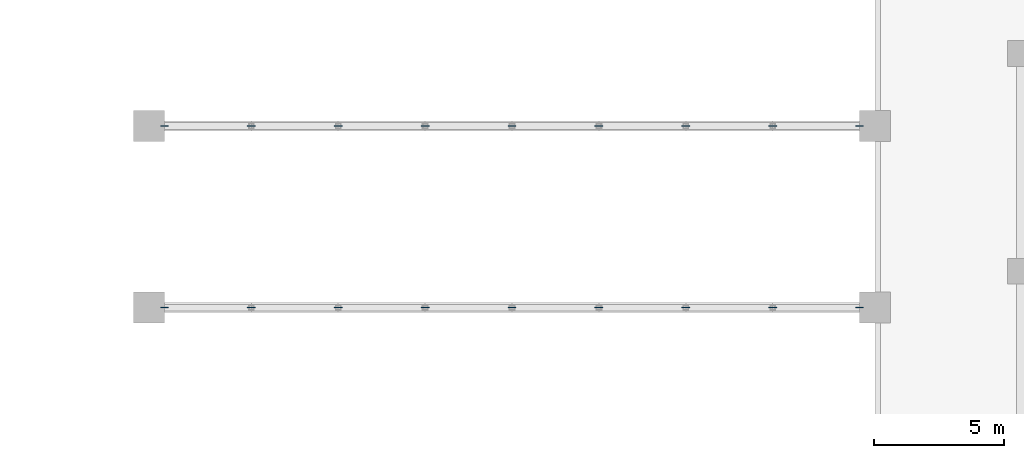
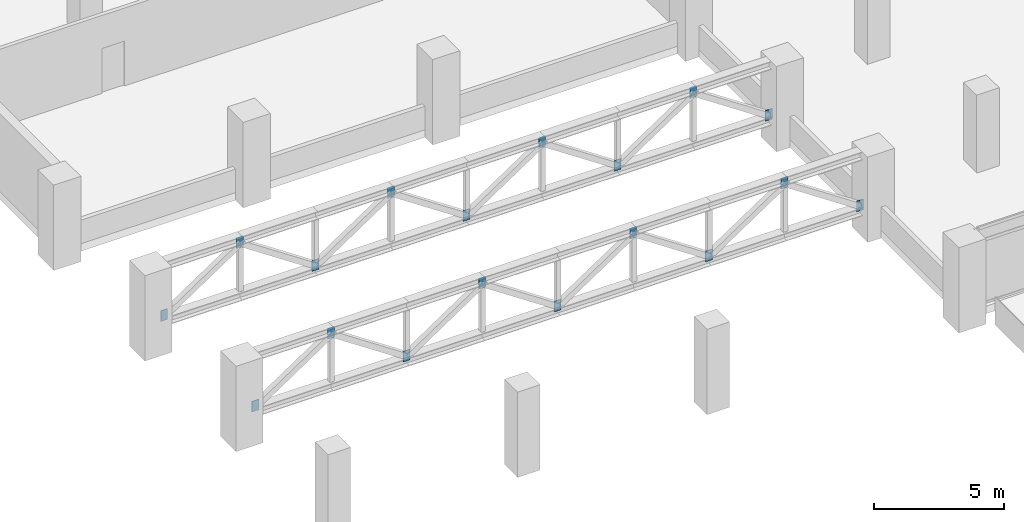
# One storey, part 19 of 24: 18 discrete accessories.
"""IFC4 building model written with IfcOpenShell, lengths in metres."""

from ifc_helpers import new_model, si_unit, direction, frame, origin, origin_2d, place, context, subcontext, project, spatial, rectangle, extrude, material, layer, layer_set, type_object, element, save


model = new_model("IFC4")

# Units and contexts
model_context = context("Model", 3, precision=1e-05, world=origin(), true_north=direction((0.0, 1.0)))
body_context = subcontext(model_context, "Body", "Model", "MODEL_VIEW")
ifc_project = project(units=[si_unit("LENGTHUNIT", "METRE"), si_unit("AREAUNIT", "SQUARE_METRE"), si_unit("VOLUMEUNIT", "CUBIC_METRE"), si_unit("PLANEANGLEUNIT", "RADIAN"), si_unit("MASSUNIT", "GRAM", prefix="KILO")], contexts=[model_context])

# Site, building, storey
site_placement = place(None, origin())
site = spatial("IfcSite", under=ifc_project, at=site_placement, CompositionType="ELEMENT")
building_placement = place(site_placement, origin())
building = spatial("IfcBuilding", under=site, at=building_placement, Name="Ostrander Bayou Hotel Tower", CompositionType="ELEMENT")
storey_placement = place(building_placement, frame((0.0, 0.0, 6.0)))
storey = spatial("IfcBuildingStorey", under=building, at=storey_placement, Name="L01", CompositionType="ELEMENT", Elevation=6.0)

# Discrete accessories
ifc_material = material(Name="Steel ASTM A572 Gr 50", Category="steel")
ifc_layer = layer(ifc_material, 0.030029296875)
ifc_layer_set = layer_set([ifc_layer], Name="GP1 gusset plate 30 mm")
discrete_accessory_type = type_object("IfcDiscreteAccessoryType", Name="GP1 gusset plate 30 mm", PredefinedType="BRACKET", material=ifc_layer_set)
for number, where, z_axis, x_axis, name in (
    (1, (-41.39990234375, -43.39990234375, 0.780517578125), (0.0, 0.0, 1.0), (1.0, 0.0, 0.0), "GP1 gusset plate ball 1"),
    (2, (-38.050048828125, -43.39990234375, 3.01953125), (0.0, 0.0, 1.0), (1.0, 0.0, 0.0), "GP1 gusset plate ball 2"),
    (3, (-34.699951171875, -43.39990234375, 0.780517578125), (0.0, 0.0, 1.0), (-1.0, 0.0, 0.0), "GP1 gusset plate ball 3"),
    (4, (-31.35009765625, -43.39990234375, 3.01953125), (0.0, 0.0, 1.0), (1.0, 0.0, 0.0), "GP1 gusset plate ball 4"),
    (5, (-28.0, -43.39990234375, 0.780517578125), (0.0, 0.0, 1.0), (-1.0, 0.0, 0.0), "GP1 gusset plate ball 5"),
    (6, (-24.64990234375, -43.39990234375, 3.01953125), (0.0, 0.0, 1.0), (1.0, 0.0, 0.0), "GP1 gusset plate ball 6"),
    (7, (-21.300048828125, -43.39990234375, 0.780517578125), (0.0, 0.0, 1.0), (-1.0, 0.0, 0.0), "GP1 gusset plate ball 7"),
    (8, (-17.949951171875, -43.39990234375, 3.01953125), (0.0, 0.0, 1.0), (1.0, 0.0, 0.0), "GP1 gusset plate ball 8"),
    (9, (-14.60009765625, -43.39990234375, 0.780517578125), (0.0, 0.0, 1.0), (-1.0, 0.0, 0.0), "GP1 gusset plate ball 9"),
    (10, (-41.39990234375, -36.39990234375, 0.780517578125), (0.0, 0.0, 1.0), (1.0, 0.0, 0.0), "GP1 gusset plate ball 10"),
    (11, (-38.050048828125, -36.39990234375, 3.01953125), (0.0, 0.0, 1.0), (1.0, 0.0, 0.0), "GP1 gusset plate ball 11"),
    (12, (-34.699951171875, -36.39990234375, 0.780517578125), (0.0, 0.0, 1.0), (-1.0, 0.0, 0.0), "GP1 gusset plate ball 12"),
    (13, (-31.35009765625, -36.39990234375, 3.01953125), (0.0, 0.0, 1.0), (1.0, 0.0, 0.0), "GP1 gusset plate ball 13"),
    (14, (-28.0, -36.39990234375, 0.780517578125), (0.0, 0.0, 1.0), (-1.0, 0.0, 0.0), "GP1 gusset plate ball 14"),
    (15, (-24.64990234375, -36.39990234375, 3.01953125), (0.0, 0.0, 1.0), (1.0, 0.0, 0.0), "GP1 gusset plate ball 15"),
    (16, (-21.300048828125, -36.39990234375, 0.780517578125), (0.0, 0.0, 1.0), (-1.0, 0.0, 0.0), "GP1 gusset plate ball 16"),
    (17, (-17.949951171875, -36.39990234375, 3.01953125), (0.0, 0.0, 1.0), (1.0, 0.0, 0.0), "GP1 gusset plate ball 17"),
    (18, (-14.60009765625, -36.39990234375, 0.780517578125), (0.0, 0.0, 1.0), (-1.0, 0.0, 0.0), "GP1 gusset plate ball 18"),
):
    element("IfcDiscreteAccessory", number, at=place(storey_placement, frame(where, z_axis=z_axis, x_axis=x_axis)), inside=storey, type_object=discrete_accessory_type, Name=name, PredefinedType="BRACKET", context=body_context, shape_type="SweptSolid", body=[
        extrude(rectangle(XDim=0.300048828125, YDim=0.030029296875, at=origin_2d()), origin(), (0.0, 0.0, 1.0), 0.5),
    ])

save(model, "model.ifc")
